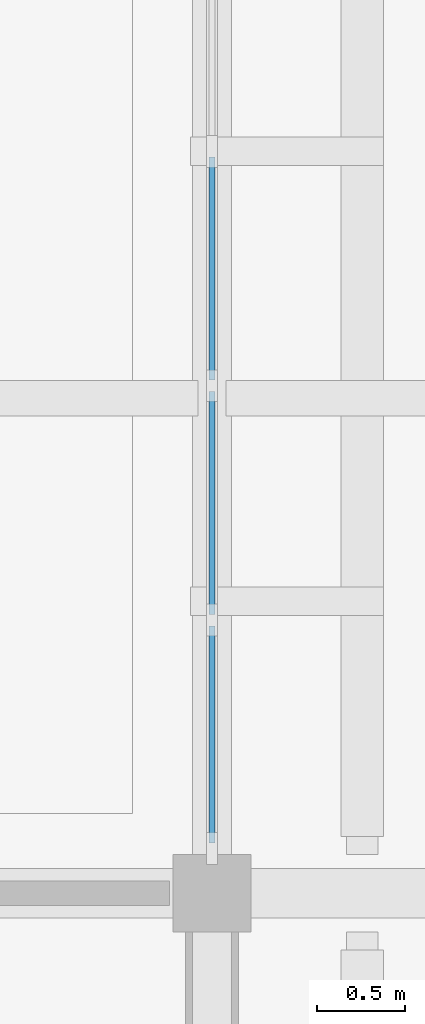
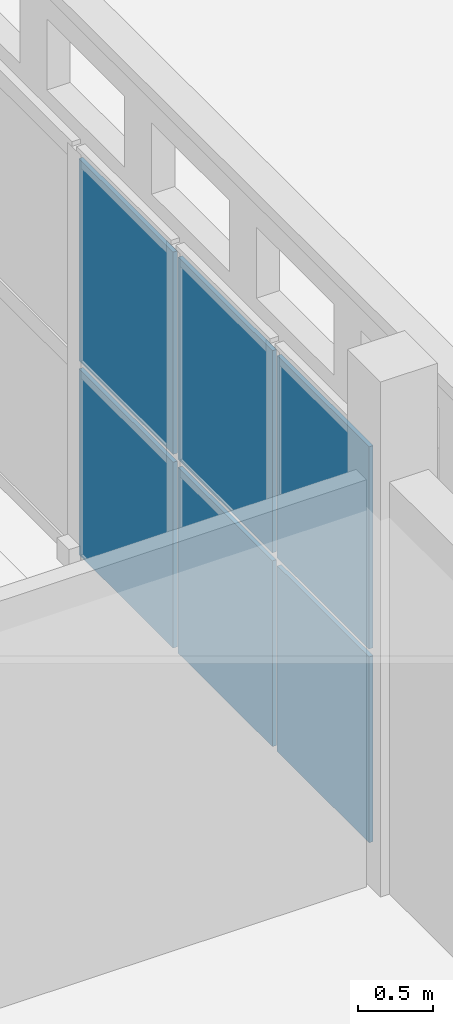
# One storey, part 79 of 166: 6 plates, 1 element without a shape of its own.
"""IFC4 building model written with IfcOpenShell, lengths in metres."""

from ifc_helpers import new_model, si_unit, direction, frame, origin, origin_2d, place, context, subcontext, project, spatial, rectangle, extrude, material, layer, layer_set, type_object, element, aggregate, save


model = new_model("IFC4")

# Units and contexts
model_context = context("Model", 3, precision=1e-05, world=origin(), true_north=direction((0.0, 1.0)))
body_context = subcontext(model_context, "Body", "Model", "MODEL_VIEW")
ifc_project = project(units=[si_unit("LENGTHUNIT", "METRE"), si_unit("AREAUNIT", "SQUARE_METRE"), si_unit("VOLUMEUNIT", "CUBIC_METRE"), si_unit("PLANEANGLEUNIT", "RADIAN"), si_unit("MASSUNIT", "GRAM", prefix="KILO")], contexts=[model_context])

# Site, building, storey
site_placement = place(None, origin())
site = spatial("IfcSite", under=ifc_project, at=site_placement, CompositionType="ELEMENT")
building_placement = place(site_placement, origin())
building = spatial("IfcBuilding", under=site, at=building_placement, Name="Varnapada Polytechnic", CompositionType="ELEMENT")
storey_placement = place(building_placement, frame((0.0, 0.0, 9.60009765625)))
storey = spatial("IfcBuildingStorey", under=building, at=storey_placement, Name="L02", CompositionType="ELEMENT", Elevation=9.60009765625)

# Curtain wall, plates
ifc_material = material(Name="Double low-E laminated glass", Category="glass")
ifc_layer_1 = layer(ifc_material, 0.179931640625)
ifc_layer_set_1 = layer_set([ifc_layer_1], Name="Double low-E laminated glass")
curtain_wall_type = type_object("IfcCurtainWallType", Name="Curtain Wall CW-03", PredefinedType="NOTDEFINED", material=ifc_layer_set_1)
curtain_wall_placement = place(storey_placement, origin())
curtain_wall = element("IfcCurtainWall", 1, at=curtain_wall_placement, inside=storey, type_object=curtain_wall_type, Name="L02 unitised curtain wall CW-03 (144)", PredefinedType="NOTDEFINED")
ifc_layer_2 = layer(ifc_material, 0.031982421875)
ifc_layer_set_2 = layer_set([ifc_layer_2], Name="Double low-E laminated glass")
plate_type = type_object("IfcPlateType", Name="Curtain Panel PNL-02", PredefinedType="CURTAIN_PANEL", material=ifc_layer_set_2)
plate_1_placement = place(storey_placement, frame((33.60009765625, 62.33251953125, 0.06494140625), z_axis=(0.0, 0.0, 1.0), x_axis=(0.0, -1.0, 0.0)))
plate_1 = element("IfcPlate", 2, at=plate_1_placement, type_object=plate_type, Name="CW-03 panel 4.1", PredefinedType="CURTAIN_PANEL", context=body_context, shape_type="SweptSolid", body=[
    extrude(rectangle(XDim=1.260009765625, YDim=0.031982421875, at=origin_2d()), origin(), (0.0, 0.0, 1.0), 1.515380859375),
])
plate_2_placement = place(storey_placement, frame((33.60009765625, 62.33251953125, 1.64501953125), z_axis=(0.0, 0.0, 1.0), x_axis=(0.0, -1.0, 0.0)))
plate_2 = element("IfcPlate", 3, at=plate_2_placement, type_object=plate_type, Name="CW-03 panel 4.2", PredefinedType="CURTAIN_PANEL", context=body_context, shape_type="SweptSolid", body=[
    extrude(rectangle(XDim=1.260009765625, YDim=0.031982421875, at=origin_2d()), origin(), (0.0, 0.0, 1.0), 1.649658203125),
])
plate_3_placement = place(storey_placement, frame((33.60009765625, 61.007568359375, 0.06494140625), z_axis=(0.0, 0.0, 1.0), x_axis=(0.0, -1.0, 0.0)))
plate_3 = element("IfcPlate", 4, at=plate_3_placement, type_object=plate_type, Name="CW-03 panel 5.1", PredefinedType="CURTAIN_PANEL", context=body_context, shape_type="SweptSolid", body=[
    extrude(rectangle(XDim=1.260009765625, YDim=0.031982421875, at=origin_2d()), origin(), (0.0, 0.0, 1.0), 1.515380859375),
])
plate_4_placement = place(storey_placement, frame((33.60009765625, 61.007568359375, 1.64501953125), z_axis=(0.0, 0.0, 1.0), x_axis=(0.0, -1.0, 0.0)))
plate_4 = element("IfcPlate", 5, at=plate_4_placement, type_object=plate_type, Name="CW-03 panel 5.2", PredefinedType="CURTAIN_PANEL", context=body_context, shape_type="SweptSolid", body=[
    extrude(rectangle(XDim=1.260009765625, YDim=0.031982421875, at=origin_2d()), origin(), (0.0, 0.0, 1.0), 1.649658203125),
])
plate_5_placement = place(storey_placement, frame((33.60009765625, 59.69873046875, 0.06494140625), z_axis=(0.0, 0.0, 1.0), x_axis=(0.0, -1.0, 0.0)))
plate_5 = element("IfcPlate", 6, at=plate_5_placement, type_object=plate_type, Name="CW-03 panel 6.1", PredefinedType="CURTAIN_PANEL", context=body_context, shape_type="SweptSolid", body=[
    extrude(rectangle(XDim=1.2275390625, YDim=0.031982421875, at=origin_2d()), origin(), (0.0, 0.0, 1.0), 1.515380859375),
])
plate_6_placement = place(storey_placement, frame((33.60009765625, 59.69873046875, 1.64501953125), z_axis=(0.0, 0.0, 1.0), x_axis=(0.0, -1.0, 0.0)))
plate_6 = element("IfcPlate", 7, at=plate_6_placement, type_object=plate_type, Name="CW-03 panel 6.2", PredefinedType="CURTAIN_PANEL", context=body_context, shape_type="SweptSolid", body=[
    extrude(rectangle(XDim=1.2275390625, YDim=0.031982421875, at=origin_2d()), origin(), (0.0, 0.0, 1.0), 1.649658203125),
])
aggregate(curtain_wall, [plate_1, plate_2, plate_3, plate_4, plate_5, plate_6])

save(model, "model.ifc")
